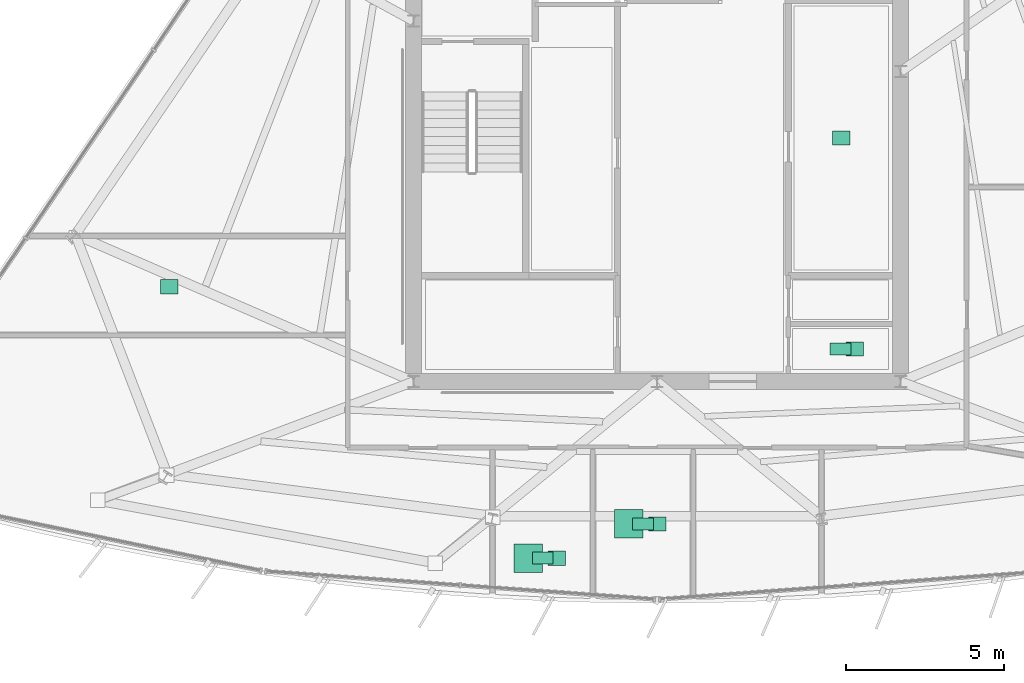
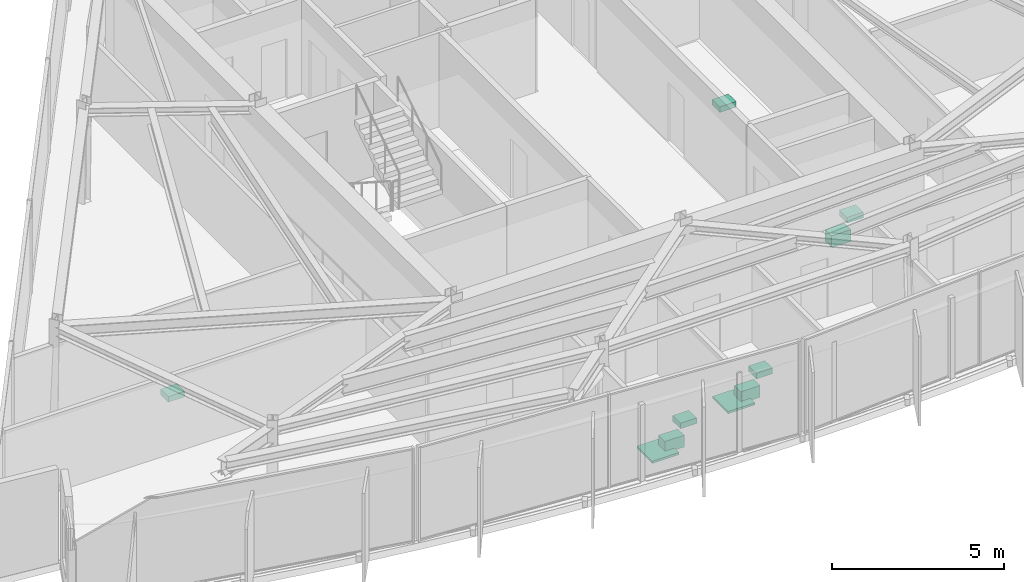
# One storey, part 12 of 12: 10 sanitary terminals.
"""IFC4 building model written with IfcOpenShell, lengths in metres."""

from ifc_helpers import new_model, si_unit, direction, frame, origin, origin_2d, place, context, subcontext, project, spatial, rectangle, extrude, material, type_object, element, save


model = new_model("IFC4")

# Units and contexts
model_context = context("Model", 3, precision=1e-05, world=origin(), true_north=direction((0.0, 1.0)))
body_context = subcontext(model_context, "Body", "Model", "MODEL_VIEW")
ifc_project = project(units=[si_unit("LENGTHUNIT", "METRE"), si_unit("AREAUNIT", "SQUARE_METRE"), si_unit("VOLUMEUNIT", "CUBIC_METRE"), si_unit("PLANEANGLEUNIT", "RADIAN"), si_unit("MASSUNIT", "GRAM", prefix="KILO")], contexts=[model_context])

# Site, building, storey
site_placement = place(None, origin())
site = spatial("IfcSite", under=ifc_project, at=site_placement, CompositionType="ELEMENT")
building_placement = place(site_placement, origin())
building = spatial("IfcBuilding", under=site, at=building_placement, Name="Savorim Split Tower", CompositionType="ELEMENT")
storey_placement = place(building_placement, frame((0.0, 0.0, 268.800048828125)))
storey = spatial("IfcBuildingStorey", under=building, at=storey_placement, Name="L71", CompositionType="ELEMENT", Elevation=268.800048828125)

# Sanitary terminals
ifc_material = material(Name="Vitreous China Sanitaryware")
sanitary_terminal_type_1 = type_object("IfcSanitaryTerminalType", Name="SAN-SHW-900", PredefinedType="SHOWER", material=ifc_material)
for number, where, z_axis, x_axis, name in (
    (1, (-4.065673828125, -14.981689453125, 0.0), (0.0, 0.0, 1.0), (1.0, 0.0, 0.0), "L71 Shared Bathroom Shower"),
    (2, (-0.8935546875, -13.900146484375, 0.0), (0.0, 0.0, 1.0), (1.0, 0.0, 0.0), "L71 Shared Bathroom Shower"),
):
    element("IfcSanitaryTerminal", number, at=place(storey_placement, frame(where, z_axis=z_axis, x_axis=x_axis)), inside=storey, type_object=sanitary_terminal_type_1, Name=name, PredefinedType="SHOWER", context=body_context, shape_type="SweptSolid", body=[
        extrude(rectangle(XDim=0.89990234375, YDim=0.89990234375, at=origin_2d()), origin(), (0.0, 0.0, 1.0), 0.080078125),
    ])
sanitary_terminal_type_2 = type_object("IfcSanitaryTerminalType", Name="SAN-WC-PAN", PredefinedType="TOILETPAN", material=ifc_material)
for number, where, z_axis, x_axis, name in (
    (3, (5.800048828125, -8.3701171875, 0.0), (0.0, 0.0, 1.0), (1.0, 0.0, 0.0), "L71 Accessible WC WC Pan"),
    (4, (-3.61572265625, -14.981689453125, 0.0), (0.0, 0.0, 1.0), (1.0, 0.0, 0.0), "L71 Shared Bathroom WC Pan"),
    (5, (-0.443603515625, -13.900146484375, 0.0), (0.0, 0.0, 1.0), (1.0, 0.0, 0.0), "L71 Shared Bathroom WC Pan"),
):
    element("IfcSanitaryTerminal", number, at=place(storey_placement, frame(where, z_axis=z_axis, x_axis=x_axis)), inside=storey, type_object=sanitary_terminal_type_2, Name=name, PredefinedType="TOILETPAN", context=body_context, shape_type="SweptSolid", body=[
        extrude(rectangle(XDim=0.64990234375, YDim=0.3798828125, at=origin_2d()), origin(), (0.0, 0.0, 1.0), 0.419921875),
    ])
sanitary_terminal_type_3 = type_object("IfcSanitaryTerminalType", Name="SAN-WHB-550", PredefinedType="WASHHANDBASIN", material=ifc_material)
for number, where, z_axis, x_axis, name in (
    (6, (5.824951171875, -1.699951171875, 0.75), (0.0, 0.0, 1.0), (1.0, 0.0, 0.0), "L71 Community Laundry Room Utility Sink"),
    (7, (6.25, -8.3701171875, 0.72021484375), (0.0, 0.0, 1.0), (1.0, 0.0, 0.0), "L71 Accessible WC Washhand Basin"),
    (8, (-15.418701171875, -6.404541015625, 0.75), (0.0, 0.0, 1.0), (1.0, 0.0, 0.0), "L71 Shared Kitchen Utility Sink"),
    (9, (-3.165771484375, -14.981689453125, 0.72021484375), (0.0, 0.0, 1.0), (1.0, 0.0, 0.0), "L71 Shared Bathroom Washhand Basin"),
    (10, (0.006591796875, -13.900146484375, 0.72021484375), (0.0, 0.0, 1.0), (1.0, 0.0, 0.0), "L71 Shared Bathroom Washhand Basin"),
):
    element("IfcSanitaryTerminal", number, at=place(storey_placement, frame(where, z_axis=z_axis, x_axis=x_axis)), inside=storey, type_object=sanitary_terminal_type_3, Name=name, PredefinedType="WASHHANDBASIN", context=body_context, shape_type="SweptSolid", body=[
        extrude(rectangle(XDim=0.550048828125, YDim=0.449951171875, at=origin_2d()), origin(), (0.0, 0.0, 1.0), 0.199951171875),
    ])

save(model, "model.ifc")
